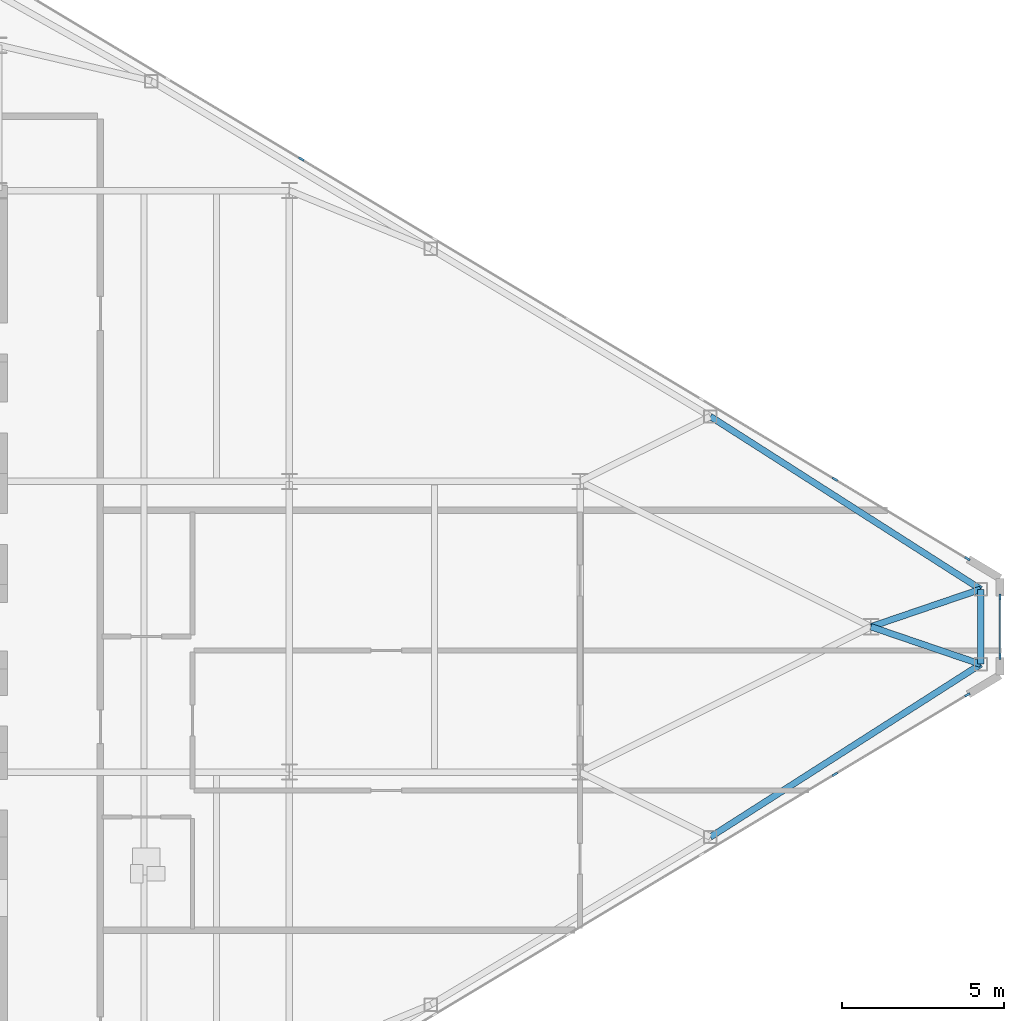
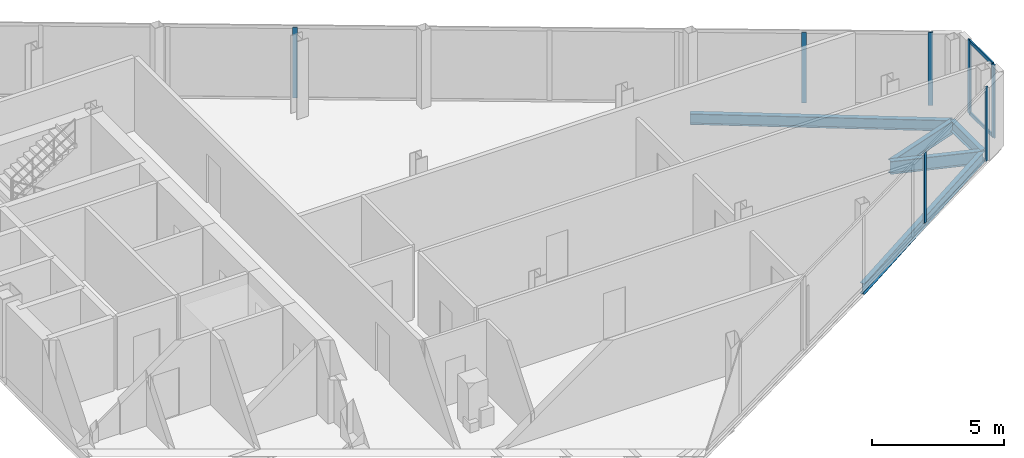
# One storey, part 17 of 25: 9 members, 5 beams, 3 elements without a shape of their own.
"""IFC4 building model written with IfcOpenShell, lengths in metres."""

from ifc_helpers import new_model, si_unit, direction, frame, origin, origin_2d, place, context, subcontext, project, spatial, rectangle, i_section, extrude, source, transform, mapped, material, layer, layer_set, material_profile, profile_set, type_object, type_shapes, element, aggregate, save


model = new_model("IFC4")

# Units and contexts
model_context = context("Model", 3, precision=1e-05, world=origin(), true_north=direction((0.0, 1.0)))
body_context = subcontext(model_context, "Body", "Model", "MODEL_VIEW")
ifc_project = project(units=[si_unit("LENGTHUNIT", "METRE"), si_unit("AREAUNIT", "SQUARE_METRE"), si_unit("VOLUMEUNIT", "CUBIC_METRE"), si_unit("PLANEANGLEUNIT", "RADIAN"), si_unit("MASSUNIT", "GRAM", prefix="KILO")], contexts=[model_context])

# Site, building, storey
site_placement = place(None, origin())
site = spatial("IfcSite", under=ifc_project, at=site_placement, CompositionType="ELEMENT")
building_placement = place(site_placement, origin())
building = spatial("IfcBuilding", under=site, at=building_placement, Name="Seokmaru Belvedere", CompositionType="ELEMENT")
storey_placement = place(building_placement, frame((0.0, 0.0, 206.699951171875)))
storey = spatial("IfcBuildingStorey", under=building, at=storey_placement, Name="L55", CompositionType="ELEMENT", Elevation=206.699951171875)

# Beams
ifc_material_1 = material(Name="Steel SM355 (355 MPa)", Category="steel")
ifc_material_profile_1 = material_profile(ifc_material_1, i_section(OverallWidth=0.199951171875, OverallDepth=0.5, WebThickness=0.010009765625, FlangeThickness=0.01611328125, at=origin_2d()), Name="H-500x200x10x16")
ifc_profile_set_1 = profile_set([ifc_material_profile_1], Name="Steel SM355 (355 MPa)")
beam_type_1 = type_object("IfcBeamType", Name="Perimeter Spandrel Beam H-500", PredefinedType="SPANDREL", material=ifc_profile_set_1)
shared_shape_1 = source(origin(), body_context, "Body", "SweptSolid", [
    extrude(i_section(OverallWidth=0.199951171875, OverallDepth=0.5, WebThickness=0.010009765625, FlangeThickness=0.01611328125, at=origin_2d()), origin(), (0.0, 0.0, 1.0), 9.932861328125),
])
for number, where, z_axis, x_axis, name in (
    (1, (58.530029296875, -6.5087890625, -0.469970703125), (0.842651960357, 0.538458609093, 0.0), (-0.538458609093, 0.842651960357, 0.0), "L55 E Faceted Flank Spandrel S-4"),
    (2, (58.530029296875, 6.5087890625, -0.469970703125), (0.842651960357, -0.538458609093, 0.0), (0.538458609093, 0.842651960357, 0.0), "L55 E Faceted Flank Spandrel N-4"),
):
    element("IfcBeam", number, at=place(storey_placement, frame(where, z_axis=z_axis, x_axis=x_axis)), inside=storey, type_object=beam_type_1, Name=name, PredefinedType="SPANDREL", context=body_context, shape_type="MappedRepresentation", body=[
        mapped(shared_shape_1, transform((0.0, 0.0, 0.0), scale=1.0)),
    ])
shared_shape_2 = source(origin(), body_context, "Body", "SweptSolid", [
    extrude(i_section(OverallWidth=0.199951171875, OverallDepth=0.5, WebThickness=0.010009765625, FlangeThickness=0.01611328125, at=origin_2d()), origin(), (0.0, 0.0, 1.0), 2.32080078125),
])
type_shapes(beam_type_1, [shared_shape_1, shared_shape_2])
beam_placement = place(storey_placement, frame((66.89990234375, -1.160400390625, -0.469970703125), z_axis=(0.0, 1.0, 0.0), x_axis=(-1.0, 0.0, 0.0)))
element("IfcBeam", 3, at=beam_placement, inside=storey, type_object=beam_type_1, Name="L55 E Faceted Apex Spandrel", PredefinedType="SPANDREL", context=body_context, shape_type="MappedRepresentation", body=[
    mapped(shared_shape_2, transform((0.0, 0.0, 0.0), scale=1.0)),
])
ifc_material_profile_2 = material_profile(ifc_material_1, i_section(OverallWidth=0.199951171875, OverallDepth=0.60009765625, WebThickness=0.010986328125, FlangeThickness=0.01708984375, at=origin_2d()), Name="H-600x200x11x17")
ifc_profile_set_2 = profile_set([ifc_material_profile_2], Name="Steel SM355 (355 MPa)")
beam_type_2 = type_object("IfcBeamType", Name="Primary Floor Girder H-600", PredefinedType="BEAM", material=ifc_profile_set_2)
shared_shape_3 = source(origin(), body_context, "Body", "SweptSolid", [
    extrude(i_section(OverallWidth=0.199951171875, OverallDepth=0.60009765625, WebThickness=0.010986328125, FlangeThickness=0.01708984375, at=origin_2d()), origin(), (0.0, 0.0, 1.0), 3.592529296875),
])
type_shapes(beam_type_2, [shared_shape_3])
for number, where, z_axis, x_axis, name in (
    (4, (66.89990234375, -1.160400390625, -0.52001953125), (-0.946395973048, 0.323008764893, 0.0), (-0.323008764893, -0.946395973048, 0.0), "L55 E Apex Radial Floor Girder 1"),
    (5, (66.89990234375, 1.160400390625, -0.52001953125), (-0.946395973048, -0.323008764893, 0.0), (0.323008764893, -0.946395973048, 0.0), "L55 E Apex Radial Floor Girder 2"),
):
    element("IfcBeam", number, at=place(storey_placement, frame(where, z_axis=z_axis, x_axis=x_axis)), inside=storey, type_object=beam_type_2, Name=name, PredefinedType="BEAM", context=body_context, shape_type="MappedRepresentation", body=[
        mapped(shared_shape_3, transform((0.0, 0.0, 0.0), scale=1.0)),
    ])

# Curtain wall, member
ifc_material_2 = material(Name="Bronze Triple Insulating Glass", Category="glass")
ifc_layer = layer(ifc_material_2, 0.179931640625)
ifc_layer_set = layer_set([ifc_layer], Name="Bronze Triple Insulating Glass")
curtain_wall_type = type_object("IfcCurtainWallType", Name="High-Rise Wind-Corner Curtain Wall System CW-5", PredefinedType="NOTDEFINED", material=ifc_layer_set)
curtain_wall_1_placement = place(storey_placement, origin())
curtain_wall_1 = element("IfcCurtainWall", 6, at=curtain_wall_1_placement, inside=storey, type_object=curtain_wall_type, Name="L55 Curtain Wall EF1", PredefinedType="NOTDEFINED")
ifc_material_3 = material(Name="Anodised Bronze Aluminium", Category="aluminium")
ifc_material_profile_3 = material_profile(ifc_material_3, rectangle(XDim=0.06494140625, YDim=0.179931640625, at=origin_2d()), Name="CW-M-65x180")
ifc_profile_set_3 = profile_set([ifc_material_profile_3], Name="Anodised Bronze Aluminium")
member_type_1 = type_object("IfcMemberType", Name="Bronze Unitised Mullion 65x180", PredefinedType="MULLION", material=ifc_profile_set_3)
shared_shape_4 = source(origin(), body_context, "Body", "SweptSolid", [
    extrude(rectangle(XDim=0.06494140625, YDim=0.179931640625, at=origin_2d()), origin(), (0.0, 0.0, 1.0), 3.25),
])
member_1_placement = place(storey_placement, frame((62.385498046875, -4.56884765625, 0.06494140625), z_axis=(0.0, 0.0, 1.0), x_axis=(-0.514494909364, 0.85749343335, 0.0)))
member_1 = element("IfcMember", 7, at=member_1_placement, type_object=member_type_1, Name="CW:L55:EF1 Mullion 8", PredefinedType="MULLION", context=body_context, shape_type="MappedRepresentation", body=[
    mapped(shared_shape_4, transform((0.0, 0.0, 0.0), scale=1.0)),
])

# Curtain wall, members
curtain_wall_2_placement = place(storey_placement, origin())
curtain_wall_2 = element("IfcCurtainWall", 8, at=curtain_wall_2_placement, inside=storey, type_object=curtain_wall_type, Name="L55 Curtain Wall EF3", PredefinedType="NOTDEFINED")
member_2_placement = place(storey_placement, frame((62.385498046875, 4.56884765625, 0.06494140625), z_axis=(0.0, 0.0, 1.0), x_axis=(-0.514494909364, -0.85749343335, 0.0)))
member_2 = element("IfcMember", 9, at=member_2_placement, type_object=member_type_1, Name="CW:L55:EF3 Mullion 2", PredefinedType="MULLION", context=body_context, shape_type="MappedRepresentation", body=[
    mapped(shared_shape_4, transform((0.0, 0.0, 0.0), scale=1.0)),
])
member_3_placement = place(storey_placement, frame((45.87158203125, 14.47705078125, 0.06494140625), z_axis=(0.0, 0.0, 1.0), x_axis=(-0.514494909364, -0.85749343335, 0.0)))
member_3 = element("IfcMember", 10, at=member_3_placement, type_object=member_type_1, Name="CW:L55:EF3 Mullion 6", PredefinedType="MULLION", context=body_context, shape_type="MappedRepresentation", body=[
    mapped(shared_shape_4, transform((0.0, 0.0, 0.0), scale=1.0)),
])

# Member
shared_shape_5 = source(origin(), body_context, "Body", "SweptSolid", [
    extrude(rectangle(XDim=0.06494140625, YDim=0.179931640625, at=origin_2d()), origin(), (0.0, 0.0, 1.0), 3.380126953125),
])
type_shapes(member_type_1, [shared_shape_4, shared_shape_5])
member_4_placement = place(storey_placement, frame((66.486083984375, -2.1083984375, 0.0), z_axis=(0.0, 0.0, 1.0), x_axis=(-0.514494909364, 0.85749343335, 0.0)))
member_4 = element("IfcMember", 11, at=member_4_placement, type_object=member_type_1, Name="CW:L55:EF1 Mullion 9", PredefinedType="MULLION", context=body_context, shape_type="MappedRepresentation", body=[
    mapped(shared_shape_5, transform((0.0, 0.0, 0.0), scale=1.0)),
])

aggregate(curtain_wall_1, [member_1, member_4])

# Curtain wall, members
curtain_wall_3_placement = place(storey_placement, origin())
curtain_wall_3 = element("IfcCurtainWall", 12, at=curtain_wall_3_placement, inside=storey, type_object=curtain_wall_type, Name="L55 Curtain Wall EF2", PredefinedType="NOTDEFINED")
member_5_placement = place(storey_placement, frame((67.5, -0.91748046875, 0.0), z_axis=(0.0, 0.0, 1.0), x_axis=(-1.0, 0.0, 0.0)))
member_5 = element("IfcMember", 13, at=member_5_placement, type_object=member_type_1, Name="CW:L55:EF2 Mullion 1", PredefinedType="MULLION", context=body_context, shape_type="MappedRepresentation", body=[
    mapped(shared_shape_5, transform((0.0, 0.0, 0.0), scale=1.0)),
])
member_6_placement = place(storey_placement, frame((67.5, 0.91748046875, 0.0), z_axis=(0.0, 0.0, 1.0), x_axis=(-1.0, 0.0, 0.0)))
member_6 = element("IfcMember", 14, at=member_6_placement, type_object=member_type_1, Name="CW:L55:EF2 Mullion 2", PredefinedType="MULLION", context=body_context, shape_type="MappedRepresentation", body=[
    mapped(shared_shape_5, transform((0.0, 0.0, 0.0), scale=1.0)),
])

# Member
member_7_placement = place(storey_placement, frame((66.486083984375, 2.1083984375, 0.0), z_axis=(0.0, 0.0, 1.0), x_axis=(-0.514494909364, -0.85749343335, 0.0)))
member_7 = element("IfcMember", 15, at=member_7_placement, type_object=member_type_1, Name="CW:L55:EF3 Mullion 1", PredefinedType="MULLION", context=body_context, shape_type="MappedRepresentation", body=[
    mapped(shared_shape_5, transform((0.0, 0.0, 0.0), scale=1.0)),
])

aggregate(curtain_wall_2, [member_7, member_2, member_3])

ifc_material_profile_4 = material_profile(ifc_material_3, rectangle(XDim=0.06494140625, YDim=0.14990234375, at=origin_2d()), Name="CW-T-65x150")
ifc_profile_set_4 = profile_set([ifc_material_profile_4], Name="Anodised Bronze Aluminium")
member_type_2 = type_object("IfcMemberType", Name="Bronze Unitised Transom 65x150", PredefinedType="USERDEFINED", material=ifc_profile_set_4)
shared_shape_6 = source(origin(), body_context, "Body", "SweptSolid", [
    extrude(rectangle(XDim=0.06494140625, YDim=0.14990234375, at=origin_2d()), origin(), (0.0, 0.0, 1.0), 1.77001953125),
])
type_shapes(member_type_2, [shared_shape_6])
member_8_placement = place(storey_placement, frame((67.5, -0.885009765625, 0.032470703125), z_axis=(0.0, 1.0, 0.0), x_axis=(-1.0, 0.0, 0.0)))
member_8 = element("IfcMember", 16, at=member_8_placement, type_object=member_type_2, Name="CW:L55:EF2 Continuous Transom 1", ObjectType="TRANSOM", PredefinedType="USERDEFINED", context=body_context, shape_type="MappedRepresentation", body=[
    mapped(shared_shape_6, transform((0.0, 0.0, 0.0), scale=1.0)),
])

member_9_placement = place(storey_placement, frame((67.5, -0.885009765625, 3.34765625), z_axis=(0.0, 1.0, 0.0), x_axis=(-1.0, 0.0, 0.0)))
member_9 = element("IfcMember", 17, at=member_9_placement, type_object=member_type_2, Name="CW:L55:EF2 Continuous Transom 2", ObjectType="TRANSOM", PredefinedType="USERDEFINED", context=body_context, shape_type="MappedRepresentation", body=[
    mapped(shared_shape_6, transform((0.0, 0.0, 0.0), scale=1.0)),
])

aggregate(curtain_wall_3, [member_5, member_6, member_8, member_9])

save(model, "model.ifc")
